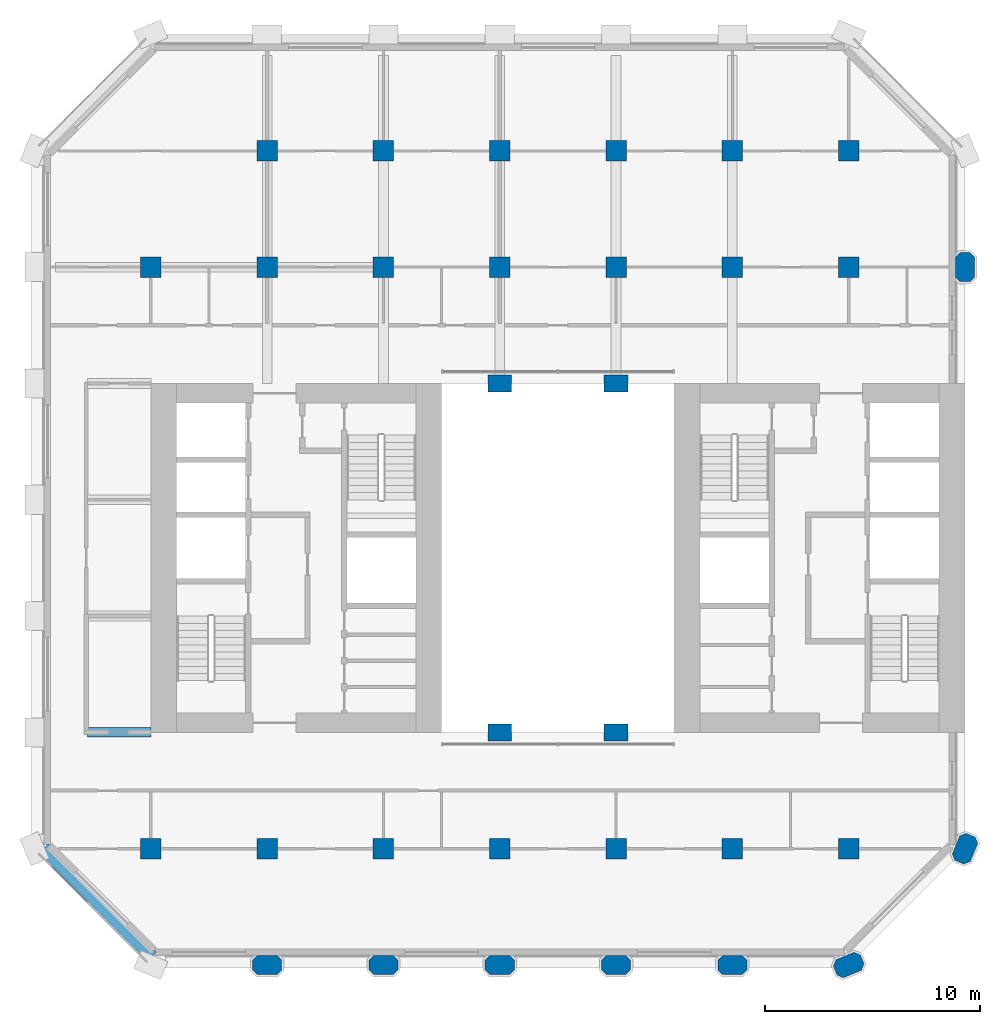
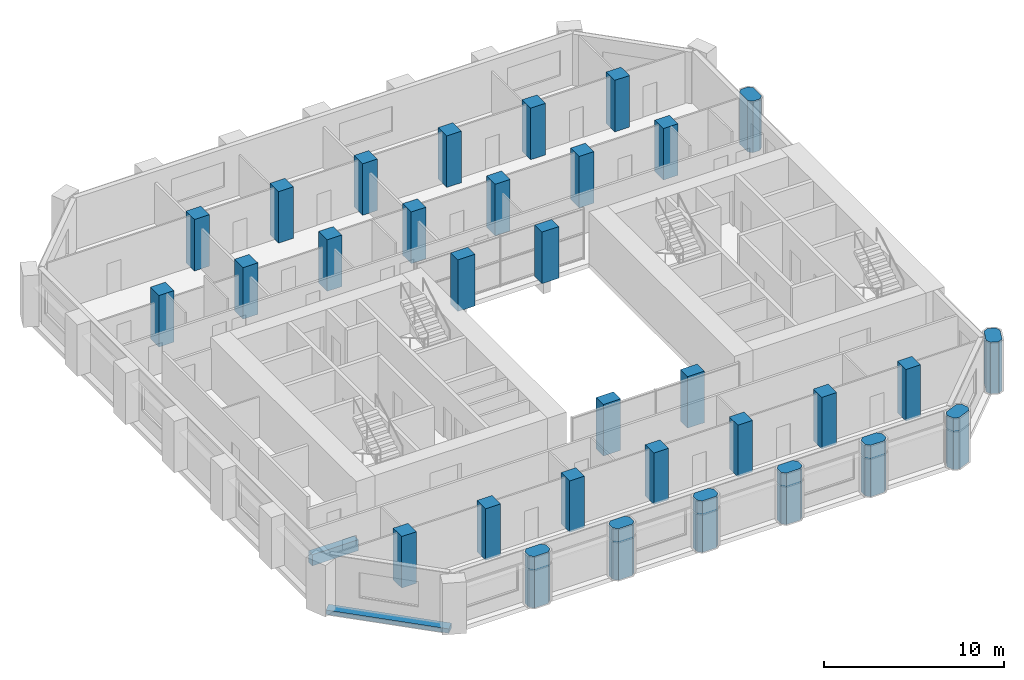
# One storey, part 1 of 13: 32 columns, 2 beams.
"""IFC4 building model written with IfcOpenShell, lengths in metres."""

from ifc_helpers import new_model, si_unit, direction, frame, origin, origin_2d, place, context, subcontext, project, spatial, polyline, rectangle, outline, extrude, material, material_profile, profile_set, type_object, element, save


model = new_model("IFC4")

# Units and contexts
model_context = context("Model", 3, precision=1e-05, world=origin(), true_north=direction((0.0, 1.0)))
body_context = subcontext(model_context, "Body", "Model", "MODEL_VIEW")
ifc_project = project(units=[si_unit("LENGTHUNIT", "METRE"), si_unit("AREAUNIT", "SQUARE_METRE"), si_unit("VOLUMEUNIT", "CUBIC_METRE"), si_unit("PLANEANGLEUNIT", "RADIAN"), si_unit("MASSUNIT", "GRAM", prefix="KILO")], contexts=[model_context])

# Site, building, storey
site_placement = place(None, origin())
site = spatial("IfcSite", under=ifc_project, at=site_placement, CompositionType="ELEMENT")
building_placement = place(site_placement, origin())
building = spatial("IfcBuilding", under=site, at=building_placement, Name="Tabaq Tower and Sports Hall", CompositionType="ELEMENT")
storey_placement = place(building_placement, frame((0.0, 0.0, 103.0)))
storey = spatial("IfcBuildingStorey", under=building, at=storey_placement, Name="L24", CompositionType="ELEMENT", Elevation=103.0)

# Columns
ifc_material_1 = material(Name="Concrete C60/75", Category="concrete")
ifc_material_profile_1 = material_profile(ifc_material_1, rectangle(XDim=1.10009765625, YDim=0.800048828125, at=origin_2d()), Name="ATRIUM COLUMN 1100x800")
ifc_profile_set_1 = profile_set([ifc_material_profile_1], Name="Concrete C60/75")
column_type_1 = type_object("IfcColumnType", Name="RC COLUMN ATRIUM COLUMN 1100x800 C60/75", PredefinedType="COLUMN", material=ifc_profile_set_1)
for number, where, z_axis, x_axis, name in (
    (1, (21.60009765625, 16.199951171875, 0.0), (0.0, 0.0, 1.0), (1.0, 0.0, 0.0), "Atrium Column 5/D L24"),
    (2, (27.0, 16.199951171875, 0.0), (0.0, 0.0, 1.0), (1.0, 0.0, 0.0), "Atrium Column 6/D L24"),
    (3, (21.60009765625, 32.39990234375, 0.0), (0.0, 0.0, 1.0), (1.0, 0.0, 0.0), "Atrium Column 5/G L24"),
    (4, (27.0, 32.39990234375, 0.0), (0.0, 0.0, 1.0), (1.0, 0.0, 0.0), "Atrium Column 6/G L24"),
):
    element("IfcColumn", number, at=place(storey_placement, frame(where, z_axis=z_axis, x_axis=x_axis)), inside=storey, type_object=column_type_1, Name=name, PredefinedType="COLUMN", context=body_context, shape_type="SweptSolid", body=[
        extrude(rectangle(XDim=1.10009765625, YDim=0.800048828125, at=origin_2d()), origin(), (0.0, 0.0, 1.0), 3.5),
    ])
ifc_material_2 = material(Name="Concrete C60/75", Category="concrete")
ifc_material_profile_2 = material_profile(ifc_material_2, rectangle(XDim=0.949951171875, YDim=0.949951171875, at=origin_2d()), Name="COLUMN 950x950")
ifc_profile_set_2 = profile_set([ifc_material_profile_2], Name="Concrete C60/75")
column_type_2 = type_object("IfcColumnType", Name="RC COLUMN COLUMN 950x950 C60/75", PredefinedType="COLUMN", material=ifc_profile_set_2)
for number, where, z_axis, x_axis, name in (
    (5, (5.39990234375, 10.800048828125, 0.0), (0.0, 0.0, 1.0), (1.0, 0.0, 0.0), "Column 2/C L24"),
    (6, (10.800048828125, 10.800048828125, 0.0), (0.0, 0.0, 1.0), (1.0, 0.0, 0.0), "Column 3/C L24"),
    (7, (16.199951171875, 10.800048828125, 0.0), (0.0, 0.0, 1.0), (1.0, 0.0, 0.0), "Column 4/C L24"),
    (8, (21.60009765625, 10.800048828125, 0.0), (0.0, 0.0, 1.0), (1.0, 0.0, 0.0), "Column 5/C L24"),
    (9, (27.0, 10.800048828125, 0.0), (0.0, 0.0, 1.0), (1.0, 0.0, 0.0), "Column 6/C L24"),
    (10, (32.39990234375, 10.800048828125, 0.0), (0.0, 0.0, 1.0), (1.0, 0.0, 0.0), "Column 7/C L24"),
    (11, (37.800048828125, 10.800048828125, 0.0), (0.0, 0.0, 1.0), (1.0, 0.0, 0.0), "Column 8/C L24"),
    (12, (5.39990234375, 37.800048828125, 0.0), (0.0, 0.0, 1.0), (1.0, 0.0, 0.0), "Column 2/H L24"),
    (13, (10.800048828125, 37.800048828125, 0.0), (0.0, 0.0, 1.0), (1.0, 0.0, 0.0), "Column 3/H L24"),
    (14, (16.199951171875, 37.800048828125, 0.0), (0.0, 0.0, 1.0), (1.0, 0.0, 0.0), "Column 4/H L24"),
    (15, (21.60009765625, 37.800048828125, 0.0), (0.0, 0.0, 1.0), (1.0, 0.0, 0.0), "Column 5/H L24"),
    (16, (27.0, 37.800048828125, 0.0), (0.0, 0.0, 1.0), (1.0, 0.0, 0.0), "Column 6/H L24"),
    (17, (32.39990234375, 37.800048828125, 0.0), (0.0, 0.0, 1.0), (1.0, 0.0, 0.0), "Column 7/H L24"),
    (18, (37.800048828125, 37.800048828125, 0.0), (0.0, 0.0, 1.0), (1.0, 0.0, 0.0), "Column 8/H L24"),
    (19, (10.800048828125, 43.199951171875, 0.0), (0.0, 0.0, 1.0), (1.0, 0.0, 0.0), "Column 3/I L24"),
    (20, (16.199951171875, 43.199951171875, 0.0), (0.0, 0.0, 1.0), (1.0, 0.0, 0.0), "Column 4/I L24"),
    (21, (21.60009765625, 43.199951171875, 0.0), (0.0, 0.0, 1.0), (1.0, 0.0, 0.0), "Column 5/I L24"),
    (22, (27.0, 43.199951171875, 0.0), (0.0, 0.0, 1.0), (1.0, 0.0, 0.0), "Column 6/I L24"),
    (23, (32.39990234375, 43.199951171875, 0.0), (0.0, 0.0, 1.0), (1.0, 0.0, 0.0), "Column 7/I L24"),
    (24, (37.800048828125, 43.199951171875, 0.0), (0.0, 0.0, 1.0), (1.0, 0.0, 0.0), "Column 8/I L24"),
):
    element("IfcColumn", number, at=place(storey_placement, frame(where, z_axis=z_axis, x_axis=x_axis)), inside=storey, type_object=column_type_2, Name=name, PredefinedType="COLUMN", context=body_context, shape_type="SweptSolid", body=[
        extrude(rectangle(XDim=0.949951171875, YDim=0.949951171875, at=origin_2d()), origin(), (0.0, 0.0, 1.0), 3.5),
    ])
ifc_material_3 = material(Name="Concrete C60/75", Category="concrete")
ifc_material_profile_3 = material_profile(ifc_material_3, outline(polyline([(-0.449951171875, -0.449951171875), (0.449951171875, -0.449951171875), (0.675048828125, -0.22509765625), (0.675048828125, 0.22509765625), (0.449951171875, 0.449951171875), (-0.449951171875, 0.449951171875), (-0.675048828125, 0.22509765625), (-0.675048828125, -0.22509765625), (-0.449951171875, -0.449951171875)])), Name="PIER 1350x900")
ifc_profile_set_3 = profile_set([ifc_material_profile_3], Name="Concrete C60/75")
column_type_3 = type_object("IfcColumnType", Name="RC COLUMN PIER 1350x900 C60/75", PredefinedType="COLUMN", material=ifc_profile_set_3)
for number, where, z_axis, x_axis, name in (
    (25, (10.800048828125, 5.39990234375, 0.0), (0.0, 0.0, 1.0), (1.0, 0.0, 0.0), "Pier 3/B L24"),
    (26, (16.199951171875, 5.39990234375, 0.0), (0.0, 0.0, 1.0), (1.0, 0.0, 0.0), "Pier 4/B L24"),
    (27, (21.60009765625, 5.39990234375, 0.0), (0.0, 0.0, 1.0), (1.0, 0.0, 0.0), "Pier 5/B L24"),
    (28, (27.0, 5.39990234375, 0.0), (0.0, 0.0, 1.0), (1.0, 0.0, 0.0), "Pier 6/B L24"),
    (29, (32.39990234375, 5.39990234375, 0.0), (0.0, 0.0, 1.0), (1.0, 0.0, 0.0), "Pier 7/B L24"),
    (30, (37.800048828125, 5.39990234375, 0.0), (0.0, 0.0, 1.0), (0.923879532511, 0.382683432365, 0.0), "Pier 8/B L24"),
    (31, (43.199951171875, 10.800048828125, 0.0), (0.0, 0.0, 1.0), (0.382683432365, 0.923879532511, 0.0), "Pier 9/C L24"),
    (32, (43.199951171875, 37.800048828125, 0.0), (0.0, 0.0, 1.0), (0.0, 1.0, 0.0), "Pier 9/H L24"),
):
    element("IfcColumn", number, at=place(storey_placement, frame(where, z_axis=z_axis, x_axis=x_axis)), inside=storey, type_object=column_type_3, Name=name, PredefinedType="COLUMN", context=body_context, shape_type="SweptSolid", body=[
        extrude(outline(polyline([(-0.449951171875, -0.449951171875), (0.449951171875, -0.449951171875), (0.675048828125, -0.22509765625), (0.675048828125, 0.22509765625), (0.449951171875, 0.449951171875), (-0.449951171875, 0.449951171875), (-0.675048828125, 0.22509765625), (-0.675048828125, -0.22509765625), (-0.449951171875, -0.449951171875)])), origin(), (0.0, 0.0, 1.0), 3.5),
    ])

# Beams
ifc_material_4 = material(Name="Concrete C40/50", Category="concrete")
ifc_material_profile_4 = material_profile(ifc_material_4, rectangle(XDim=0.449951171875, YDim=0.75, at=origin_2d()), Name="CB 450x750")
ifc_profile_set_4 = profile_set([ifc_material_profile_4], Name="Concrete C40/50")
beam_type_1 = type_object("IfcBeamType", Name="PT CANTILEVER BEAM CB 450x750 C40/50", PredefinedType="BEAM", material=ifc_profile_set_4)
beam_1_placement = place(storey_placement, frame((2.449951171875, 16.199951171875, -0.675048828125), z_axis=(1.0, 0.0, 0.0), x_axis=(0.0, 1.0, 0.0)))
element("IfcBeam", 33, at=beam_1_placement, inside=storey, type_object=beam_type_1, Name="Cantilever Beam L24 W3 span 1", PredefinedType="BEAM", context=body_context, shape_type="SweptSolid", body=[
    extrude(rectangle(XDim=0.449951171875, YDim=0.75, at=origin_2d()), origin(), (0.0, 0.0, 1.0), 2.949951171875),
])
ifc_material_5 = material(Name="Concrete C40/50", Category="concrete")
ifc_material_profile_5 = material_profile(ifc_material_5, rectangle(XDim=0.60009765625, YDim=0.300048828125, at=origin_2d()), Name="EB 600x300")
ifc_profile_set_5 = profile_set([ifc_material_profile_5], Name="Concrete C40/50")
beam_type_2 = type_object("IfcBeamType", Name="PT EDGE BEAM EB 600x300 C40/50", PredefinedType="SPANDREL", material=ifc_profile_set_5)
beam_2_placement = place(storey_placement, frame((0.42333984375, 10.801025390625, -0.14990234375), z_axis=(0.707089559252, -0.707124002701, 0.0), x_axis=(0.707124002701, 0.707089559252, 0.0)))
element("IfcBeam", 34, at=beam_2_placement, inside=storey, type_object=beam_type_2, Name="Edge Beam L24 5", PredefinedType="SPANDREL", context=body_context, shape_type="SweptSolid", body=[
    extrude(rectangle(XDim=0.60009765625, YDim=0.300048828125, at=origin_2d()), origin(), (0.0, 0.0, 1.0), 7.088134765625),
])

save(model, "model.ifc")
